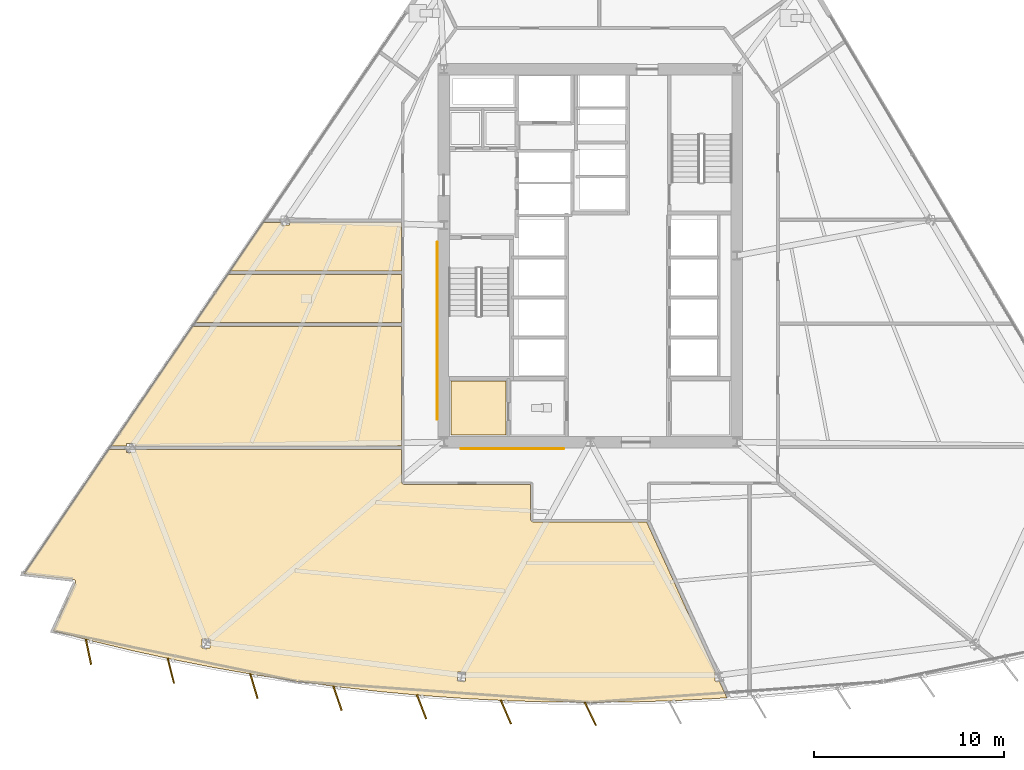
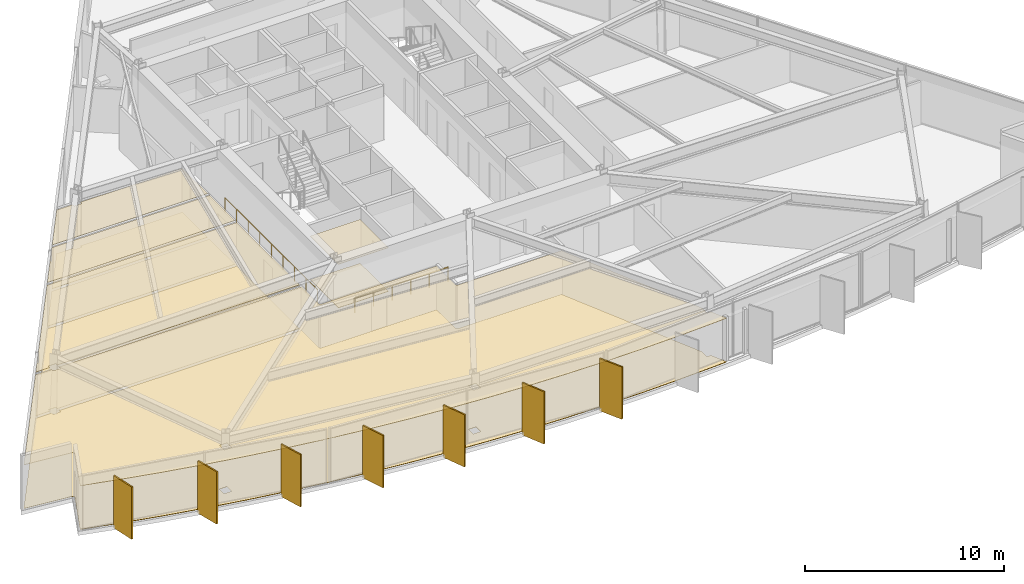
# One storey, part 12 of 16: 10 coverings, 7 shading devices, 2 railings.
"""IFC4 building model written with IfcOpenShell, lengths in metres."""

from ifc_helpers import new_model, si_unit, direction, frame, origin, origin_2d, place, context, subcontext, project, spatial, polyline, rectangle, circle, outline, extrude, material, layer, layer_set, type_object, element, save


model = new_model("IFC4")

# Units and contexts
model_context = context("Model", 3, precision=1e-05, world=origin(), true_north=direction((0.0, 1.0)))
body_context = subcontext(model_context, "Body", "Model", "MODEL_VIEW")
ifc_project = project(units=[si_unit("LENGTHUNIT", "METRE"), si_unit("AREAUNIT", "SQUARE_METRE"), si_unit("VOLUMEUNIT", "CUBIC_METRE"), si_unit("PLANEANGLEUNIT", "RADIAN"), si_unit("MASSUNIT", "GRAM", prefix="KILO")], contexts=[model_context])

# Site, building, storey
site_placement = place(None, origin())
site = spatial("IfcSite", under=ifc_project, at=site_placement, CompositionType="ELEMENT")
building_placement = place(site_placement, origin())
building = spatial("IfcBuilding", under=site, at=building_placement, Name="Savorim Split Tower", CompositionType="ELEMENT")
storey_placement = place(building_placement, frame((0.0, 0.0, 33.60009765625)))
storey = spatial("IfcBuildingStorey", under=building, at=storey_placement, Name="L08", CompositionType="ELEMENT", Elevation=33.60009765625)

# Coverings
ifc_material_1 = material(Name="Mineral Fibre Acoustic Ceiling")
ifc_layer_1 = layer(ifc_material_1, 0.02490234375)
ifc_layer_set_1 = layer_set([ifc_layer_1], Name="COV-CEIL-25")
covering_type_1 = type_object("IfcCoveringType", Name="COV-CEIL-25", PredefinedType="CEILING", material=ifc_layer_set_1)
covering_1_placement = place(storey_placement, frame((0.0, 0.0, 2.669921875)))
element("IfcCovering", 1, at=covering_1_placement, inside=storey, type_object=covering_type_1, Name="L08 Housekeeping Store Acoustic Ceiling", PredefinedType="CEILING", context=body_context, shape_type="SweptSolid", body=[
    extrude(outline(polyline([(-7.320068359375, -6.179931640625), (-7.320068359375, -9.02001953125), (-4.429931640625, -9.02001953125), (-4.429931640625, -6.179931640625), (-7.320068359375, -6.179931640625)])), origin(), (0.0, 0.0, 1.0), 0.02490234375),
])
covering_2_placement = place(storey_placement, frame((0.0, 0.0, 2.669921875)))
element("IfcCovering", 2, at=covering_2_placement, inside=storey, type_object=covering_type_1, Name="L08 Shared Kitchen Acoustic Ceiling", PredefinedType="CEILING", context=body_context, shape_type="SweptSolid", body=[
    extrude(outline(polyline([(-19.05517578125, -0.584716796875), (-20.7822265625, -3.12353515625), (-9.919921875, -3.12353515625), (-9.919921875, -0.584716796875), (-19.05517578125, -0.584716796875)])), origin(), (0.0, 0.0, 1.0), 0.02490234375),
])
covering_3_placement = place(storey_placement, frame((0.0, 0.0, 2.669921875)))
element("IfcCovering", 3, at=covering_3_placement, inside=storey, type_object=covering_type_1, Name="L08 Maker Workshop Acoustic Ceiling", PredefinedType="CEILING", context=body_context, shape_type="SweptSolid", body=[
    extrude(outline(polyline([(-23.93994140625, -9.46728515625), (-23.93994140625, -9.605224609375), (-9.919921875, -9.605224609375), (-9.919921875, -3.313720703125), (-20.91162109375, -3.313720703125), (-25.191650390625, -9.605224609375), (-24.3759765625, -9.605224609375), (-24.3759765625, -9.46728515625), (-23.93994140625, -9.46728515625)])), origin(), (0.0, 0.0, 1.0), 0.02490234375),
])
covering_4_placement = place(storey_placement, frame((0.0, 0.0, 2.669921875)))
element("IfcCovering", 4, at=covering_4_placement, inside=storey, type_object=covering_type_1, Name="L08 Co-Working Commons Acoustic Ceiling", PredefinedType="CEILING", context=body_context, shape_type="SweptSolid", body=[
    extrude(outline(polyline([(-27.05615234375, -16.739990234375), (-27.056884765625, -16.751708984375), (-27.05908203125, -16.763671875), (-27.0625, -16.77490234375), (-27.06689453125, -16.7861328125), (-28.231201171875, -19.320068359375), (-26.232177734375, -19.843017578125), (-24.0849609375, -20.357666015625), (-21.927490234375, -20.82861328125), (-19.760986328125, -21.255126953125), (-17.586181640625, -21.63720703125), (-15.404296875, -21.974853515625), (-13.215576171875, -22.267578125), (-11.021484375, -22.515625), (-8.82275390625, -22.71875), (-6.6201171875, -22.876708984375), (-4.4150390625, -22.989501953125), (-2.2080078125, -23.057373046875), (0.0, -23.080078125), (2.2080078125, -23.057373046875), (4.4150390625, -22.989501953125), (6.6201171875, -22.876708984375), (7.177490234375, -22.836669921875), (6.771728515625, -21.9482421875), (6.5517578125, -21.9482421875), (6.5517578125, -21.482177734375), (6.558837890625, -21.482177734375), (2.967041015625, -13.61865234375), (2.9541015625, -13.590087890625), (-3.0, -13.590087890625), (-3.013671875, -13.58935546875), (-3.02734375, -13.58740234375), (-3.04052734375, -13.583984375), (-3.0537109375, -13.579345703125), (-3.06591796875, -13.573486328125), (-3.077880859375, -13.56640625), (-3.0888671875, -13.55810546875), (-3.09912109375, -13.549072265625), (-3.108154296875, -13.538818359375), (-3.116455078125, -13.52783203125), (-3.12353515625, -13.51611328125), (-3.12939453125, -13.503662109375), (-3.134033203125, -13.490478515625), (-3.13720703125, -13.477294921875), (-3.139404296875, -13.463623046875), (-3.139892578125, -13.449951171875), (-3.139892578125, -11.6201171875), (-9.780029296875, -11.6201171875), (-9.793701171875, -11.619384765625), (-9.807373046875, -11.6171875), (-9.820556640625, -11.614013671875), (-9.83349609375, -11.609375), (-9.845947265625, -11.603515625), (-9.85791015625, -11.596435546875), (-9.868896484375, -11.588134765625), (-9.87890625, -11.5791015625), (-9.88818359375, -11.56884765625), (-9.896484375, -11.557861328125), (-9.903564453125, -11.5458984375), (-9.9091796875, -11.53369140625), (-9.9140625, -11.5205078125), (-9.917236328125, -11.50732421875), (-9.919189453125, -11.49365234375), (-9.919921875, -11.47998046875), (-9.919921875, -9.79541015625), (-23.93994140625, -9.79541015625), (-23.93994140625, -9.933349609375), (-24.3759765625, -9.933349609375), (-24.3759765625, -9.79541015625), (-25.19580078125, -9.79541015625), (-25.291015625, -9.79541015625), (-25.291015625, -9.751220703125), (-29.763916015625, -16.326416015625), (-27.16259765625, -16.61669921875), (-27.15087890625, -16.61865234375), (-27.139404296875, -16.62158203125), (-27.128173828125, -16.6259765625), (-27.117431640625, -16.631103515625), (-27.107421875, -16.637451171875), (-27.097900390625, -16.644775390625), (-27.08935546875, -16.653076171875), (-27.08154296875, -16.662109375), (-27.07470703125, -16.671875), (-27.068603515625, -16.68212890625), (-27.06396484375, -16.693115234375), (-27.060302734375, -16.70458984375), (-27.0576171875, -16.716064453125), (-27.056396484375, -16.72802734375), (-27.05615234375, -16.739990234375)]), holes=[polyline([(-20.4169921875, -20.22412109375), (-19.98095703125, -20.22412109375), (-19.98095703125, -19.758056640625), (-20.4169921875, -19.758056640625), (-20.4169921875, -20.22412109375)]), polyline([(-6.98779296875, -21.9482421875), (-6.5517578125, -21.9482421875), (-6.5517578125, -21.482177734375), (-6.98779296875, -21.482177734375), (-6.98779296875, -21.9482421875)])]), origin(), (0.0, 0.0, 1.0), 0.02490234375),
])
covering_5_placement = place(storey_placement, frame((0.0, 0.0, 2.669921875)))
element("IfcCovering", 5, at=covering_5_placement, inside=storey, type_object=covering_type_1, Name="L08 Co-Living Bedroom Acoustic Ceiling", PredefinedType="CEILING", context=body_context, shape_type="SweptSolid", body=[
    extrude(outline(polyline([(-16.25390625, 2.144287109375), (-17.073486328125, 2.144287109375), (-17.168701171875, 2.144287109375), (-17.168701171875, 2.188720703125), (-18.92578125, -0.39453125), (-9.919921875, -0.394775390625), (-9.919921875, 2.144287109375), (-15.81787109375, 2.144287109375), (-15.81787109375, 2.00634765625), (-16.25390625, 2.00634765625), (-16.25390625, 2.144287109375)])), origin(), (0.0, 0.0, 1.0), 0.02490234375),
])
ifc_material_2 = material(Name="Porcelain Stoneware Flooring", Category="masonry")
ifc_layer_2 = layer(ifc_material_2, 0.02001953125)
ifc_layer_set_2 = layer_set([ifc_layer_2], Name="COV-FLOR-20")
covering_type_2 = type_object("IfcCoveringType", Name="COV-FLOR-20", PredefinedType="FLOORING", material=ifc_layer_set_2)
covering_6_placement = place(storey_placement, origin())
element("IfcCovering", 6, at=covering_6_placement, inside=storey, type_object=covering_type_2, Name="L08 Housekeeping Store Porcelain Flooring", PredefinedType="FLOORING", context=body_context, shape_type="SweptSolid", body=[
    extrude(outline(polyline([(-7.320068359375, -6.179931640625), (-7.320068359375, -9.02001953125), (-4.429931640625, -9.02001953125), (-4.429931640625, -6.179931640625), (-7.320068359375, -6.179931640625)])), origin(), (0.0, 0.0, 1.0), 0.02001953125),
])
covering_7_placement = place(storey_placement, origin())
element("IfcCovering", 7, at=covering_7_placement, inside=storey, type_object=covering_type_2, Name="L08 Shared Kitchen Porcelain Flooring", PredefinedType="FLOORING", context=body_context, shape_type="SweptSolid", body=[
    extrude(outline(polyline([(-19.05517578125, -0.584716796875), (-20.7822265625, -3.12353515625), (-9.919921875, -3.12353515625), (-9.919921875, -0.584716796875), (-19.05517578125, -0.584716796875)])), origin(), (0.0, 0.0, 1.0), 0.02001953125),
])
covering_8_placement = place(storey_placement, origin())
element("IfcCovering", 8, at=covering_8_placement, inside=storey, type_object=covering_type_2, Name="L08 Maker Workshop Porcelain Flooring", PredefinedType="FLOORING", context=body_context, shape_type="SweptSolid", body=[
    extrude(outline(polyline([(-23.93994140625, -9.46728515625), (-23.93994140625, -9.605224609375), (-9.919921875, -9.605224609375), (-9.919921875, -3.313720703125), (-20.91162109375, -3.313720703125), (-25.191650390625, -9.605224609375), (-24.3759765625, -9.605224609375), (-24.3759765625, -9.46728515625), (-23.93994140625, -9.46728515625)])), origin(), (0.0, 0.0, 1.0), 0.02001953125),
])
covering_9_placement = place(storey_placement, origin())
element("IfcCovering", 9, at=covering_9_placement, inside=storey, type_object=covering_type_2, Name="L08 Co-Working Commons Porcelain Flooring", PredefinedType="FLOORING", context=body_context, shape_type="SweptSolid", body=[
    extrude(outline(polyline([(-27.05615234375, -16.739990234375), (-27.056884765625, -16.751708984375), (-27.05908203125, -16.763671875), (-27.0625, -16.77490234375), (-27.06689453125, -16.7861328125), (-28.231201171875, -19.320068359375), (-26.232177734375, -19.843017578125), (-24.0849609375, -20.357666015625), (-21.927490234375, -20.82861328125), (-19.760986328125, -21.255126953125), (-17.586181640625, -21.63720703125), (-15.404296875, -21.974853515625), (-13.215576171875, -22.267578125), (-11.021484375, -22.515625), (-8.82275390625, -22.71875), (-6.6201171875, -22.876708984375), (-4.4150390625, -22.989501953125), (-2.2080078125, -23.057373046875), (0.0, -23.080078125), (2.2080078125, -23.057373046875), (4.4150390625, -22.989501953125), (6.6201171875, -22.876708984375), (7.177490234375, -22.836669921875), (6.771728515625, -21.9482421875), (6.5517578125, -21.9482421875), (6.5517578125, -21.482177734375), (6.558837890625, -21.482177734375), (2.967041015625, -13.61865234375), (2.9541015625, -13.590087890625), (-3.0, -13.590087890625), (-3.013671875, -13.58935546875), (-3.02734375, -13.58740234375), (-3.04052734375, -13.583984375), (-3.0537109375, -13.579345703125), (-3.06591796875, -13.573486328125), (-3.077880859375, -13.56640625), (-3.0888671875, -13.55810546875), (-3.09912109375, -13.549072265625), (-3.108154296875, -13.538818359375), (-3.116455078125, -13.52783203125), (-3.12353515625, -13.51611328125), (-3.12939453125, -13.503662109375), (-3.134033203125, -13.490478515625), (-3.13720703125, -13.477294921875), (-3.139404296875, -13.463623046875), (-3.139892578125, -13.449951171875), (-3.139892578125, -11.6201171875), (-9.780029296875, -11.6201171875), (-9.793701171875, -11.619384765625), (-9.807373046875, -11.6171875), (-9.820556640625, -11.614013671875), (-9.83349609375, -11.609375), (-9.845947265625, -11.603515625), (-9.85791015625, -11.596435546875), (-9.868896484375, -11.588134765625), (-9.87890625, -11.5791015625), (-9.88818359375, -11.56884765625), (-9.896484375, -11.557861328125), (-9.903564453125, -11.5458984375), (-9.9091796875, -11.53369140625), (-9.9140625, -11.5205078125), (-9.917236328125, -11.50732421875), (-9.919189453125, -11.49365234375), (-9.919921875, -11.47998046875), (-9.919921875, -9.79541015625), (-23.93994140625, -9.79541015625), (-23.93994140625, -9.933349609375), (-24.3759765625, -9.933349609375), (-24.3759765625, -9.79541015625), (-25.19580078125, -9.79541015625), (-25.291015625, -9.79541015625), (-25.291015625, -9.751220703125), (-29.763916015625, -16.326416015625), (-27.16259765625, -16.61669921875), (-27.15087890625, -16.61865234375), (-27.139404296875, -16.62158203125), (-27.128173828125, -16.6259765625), (-27.117431640625, -16.631103515625), (-27.107421875, -16.637451171875), (-27.097900390625, -16.644775390625), (-27.08935546875, -16.653076171875), (-27.08154296875, -16.662109375), (-27.07470703125, -16.671875), (-27.068603515625, -16.68212890625), (-27.06396484375, -16.693115234375), (-27.060302734375, -16.70458984375), (-27.0576171875, -16.716064453125), (-27.056396484375, -16.72802734375), (-27.05615234375, -16.739990234375)]), holes=[polyline([(-20.4169921875, -20.22412109375), (-19.98095703125, -20.22412109375), (-19.98095703125, -19.758056640625), (-20.4169921875, -19.758056640625), (-20.4169921875, -20.22412109375)]), polyline([(-6.98779296875, -21.9482421875), (-6.5517578125, -21.9482421875), (-6.5517578125, -21.482177734375), (-6.98779296875, -21.482177734375), (-6.98779296875, -21.9482421875)])]), origin(), (0.0, 0.0, 1.0), 0.02001953125),
])
covering_10_placement = place(storey_placement, origin())
element("IfcCovering", 10, at=covering_10_placement, inside=storey, type_object=covering_type_2, Name="L08 Co-Living Bedroom Porcelain Flooring", PredefinedType="FLOORING", context=body_context, shape_type="SweptSolid", body=[
    extrude(outline(polyline([(-16.25390625, 2.144287109375), (-17.073486328125, 2.144287109375), (-17.168701171875, 2.144287109375), (-17.168701171875, 2.188720703125), (-18.92578125, -0.39453125), (-9.919921875, -0.394775390625), (-9.919921875, 2.144287109375), (-15.81787109375, 2.144287109375), (-15.81787109375, 2.00634765625), (-16.25390625, 2.00634765625), (-16.25390625, 2.144287109375)])), origin(), (0.0, 0.0, 1.0), 0.02001953125),
])

# Railings
ifc_material_3 = material(Name="Galvanised Painted Steel Balustrade", Category="steel")
railing_type = type_object("IfcRailingType", Name="RLG-HR-900", PredefinedType="HANDRAIL", material=ifc_material_3)
railing_1_placement = place(storey_placement, frame((-6.800048828125, -9.75, 0.0)))
element("IfcRailing", 11, at=railing_1_placement, inside=storey, type_object=railing_type, Name="L08 Corridor South Accessible Handrail", PredefinedType="HANDRAIL", context=body_context, shape_type="SweptSolid", body=[
    extrude(circle(Radius=0.02392578125, at=origin_2d()), frame((0.0, 0.0, 0.8759765625), z_axis=(1.0, 0.0, 0.0), x_axis=(0.0, 1.0, 0.0)), (0.0, 0.0, 1.0), 5.400146484375),
    extrude(circle(Radius=0.02099609375, at=origin_2d()), origin(), (0.0, 0.0, 1.0), 0.851806640625),
    extrude(circle(Radius=0.02099609375, at=origin_2d()), frame((1.080078125, 0.0, 0.0)), (0.0, 0.0, 1.0), 0.851806640625),
    extrude(circle(Radius=0.02099609375, at=origin_2d()), frame((2.16015625, 0.0, 0.0)), (0.0, 0.0, 1.0), 0.851806640625),
    extrude(circle(Radius=0.02099609375, at=origin_2d()), frame((3.239990234375, 0.0, 0.0)), (0.0, 0.0, 1.0), 0.851806640625),
    extrude(circle(Radius=0.02099609375, at=origin_2d()), frame((4.320068359375, 0.0, 0.0)), (0.0, 0.0, 1.0), 0.851806640625),
    extrude(circle(Radius=0.02099609375, at=origin_2d()), frame((5.400146484375, 0.0, 0.0)), (0.0, 0.0, 1.0), 0.851806640625),
])
railing_2_placement = place(storey_placement, frame((-8.050048828125, -8.199951171875, 0.0)))
element("IfcRailing", 12, at=railing_2_placement, inside=storey, type_object=railing_type, Name="L08 Corridor West Accessible Handrail", PredefinedType="HANDRAIL", context=body_context, shape_type="SweptSolid", body=[
    extrude(circle(Radius=0.02392578125, at=origin_2d()), frame((0.0, 0.0, 0.8759765625), z_axis=(0.0, 1.0, 0.0), x_axis=(-1.0, 0.0, 0.0)), (0.0, 0.0, 1.0), 9.300048828125),
    extrude(circle(Radius=0.02099609375, at=origin_2d()), origin(), (0.0, 0.0, 1.0), 0.851806640625),
    extrude(circle(Radius=0.02099609375, at=origin_2d()), frame((0.0, 1.16259765625, 0.0)), (0.0, 0.0, 1.0), 0.851806640625),
    extrude(circle(Radius=0.02099609375, at=origin_2d()), frame((0.0, 2.324951171875, 0.0)), (0.0, 0.0, 1.0), 0.851806640625),
    extrude(circle(Radius=0.02099609375, at=origin_2d()), frame((0.0, 3.487548828125, 0.0)), (0.0, 0.0, 1.0), 0.851806640625),
    extrude(circle(Radius=0.02099609375, at=origin_2d()), frame((0.0, 4.64990234375, 0.0)), (0.0, 0.0, 1.0), 0.851806640625),
    extrude(circle(Radius=0.02099609375, at=origin_2d()), frame((0.0, 5.8125, 0.0)), (0.0, 0.0, 1.0), 0.851806640625),
    extrude(circle(Radius=0.02099609375, at=origin_2d()), frame((0.0, 6.97509765625, 0.0)), (0.0, 0.0, 1.0), 0.851806640625),
    extrude(circle(Radius=0.02099609375, at=origin_2d()), frame((0.0, 8.137451171875, 0.0)), (0.0, 0.0, 1.0), 0.851806640625),
    extrude(circle(Radius=0.02099609375, at=origin_2d()), frame((0.0, 9.300048828125, 0.0)), (0.0, 0.0, 1.0), 0.851806640625),
])

# Shading devices
ifc_material_4 = material(Name="Terracotta Ceramic-Coated Aluminium Fin", Category="masonry")
shading_device_type = type_object("IfcShadingDeviceType", Name="SHD-FIN-1360", PredefinedType="USERDEFINED", material=ifc_material_4)
for number, where, z_axis, x_axis, name in (
    (13, (-26.377197265625, -20.4208984375, -0.2001953125), (0.0, 0.0, 1.0), (0.206721626106, -0.978399800337, 0.0), "L08 Sawtooth Shading Fin 01"),
    (14, (-22.048583984375, -21.412109375, -0.2001953125), (0.0, 0.0, 1.0), (0.246581250663, -0.969122121727, 0.0), "L08 Sawtooth Shading Fin 02"),
    (15, (-17.68359375, -22.225341796875, -0.2001953125), (0.0, 0.0, 1.0), (0.286026212504, -0.958221793616, 0.0), "L08 Sawtooth Shading Fin 03"),
    (16, (-13.28857421875, -22.859130859375, -0.2001953125), (0.0, 0.0, 1.0), (0.324993810493, -0.945716143005, 0.0), "L08 Sawtooth Shading Fin 04"),
    (17, (-8.871337890625, -23.312744140625, -0.2001953125), (0.0, 0.0, 1.0), (0.363415461732, -0.931627179817, 0.0), "L08 Sawtooth Shading Fin 05"),
    (18, (-4.439453125, -23.585205078125, -0.2001953125), (0.0, 0.0, 1.0), (0.401230091723, -0.915977299662, 0.0), "L08 Sawtooth Shading Fin 06"),
    (19, (0.0, -23.676025390625, -0.2001953125), (0.0, 0.0, 1.0), (0.438371146789, -0.898794046299, 0.0), "L08 Sawtooth Shading Fin 07"),
):
    element("IfcShadingDevice", number, at=place(storey_placement, frame(where, z_axis=z_axis, x_axis=x_axis)), inside=storey, type_object=shading_device_type, Name=name, ObjectType="FIN", PredefinedType="USERDEFINED", context=body_context, shape_type="SweptSolid", body=[
        extrude(rectangle(XDim=1.360107421875, YDim=0.080078125, at=origin_2d()), origin(), (0.0, 0.0, 1.0), 3.199951171875),
    ])

save(model, "model.ifc")
